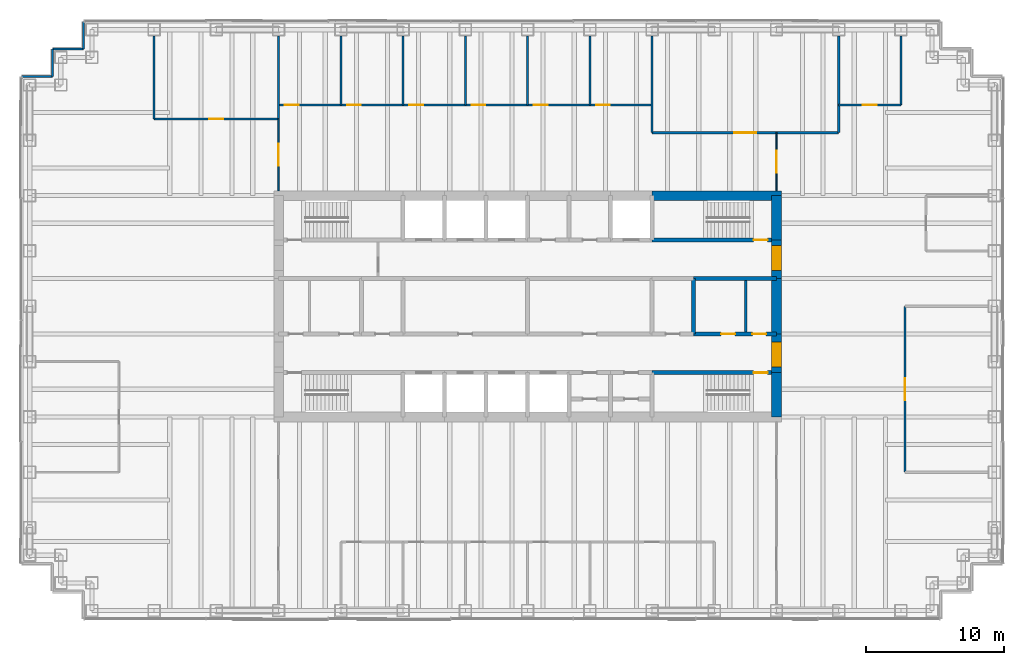
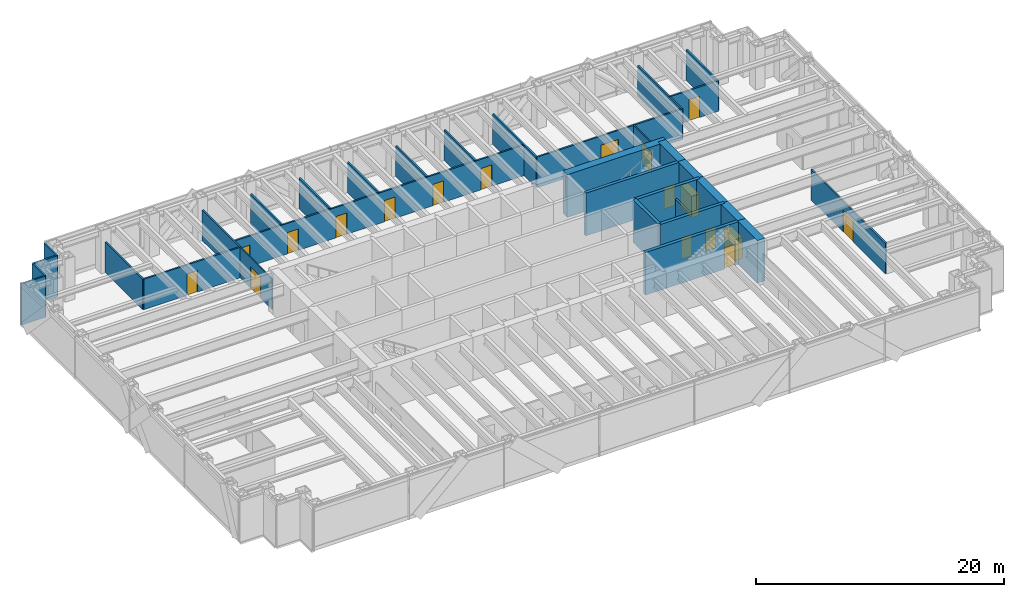
# One storey, part 13 of 15: 33 walls, 18 doors, 18 openings.
"""IFC4 building model written with IfcOpenShell, lengths in metres."""

from ifc_helpers import new_model, si_unit, direction, frame, frame_2d, origin, place, context, subcontext, project, spatial, rectangle, extrude, material, layer, layer_set, type_object, element, fill, save


model = new_model("IFC4")

# Units and contexts
model_context = context("Model", 3, precision=1e-05, world=origin(), true_north=direction((0.0, 1.0)))
body_context = subcontext(model_context, "Body", "Model", "MODEL_VIEW")
ifc_project = project(units=[si_unit("LENGTHUNIT", "METRE"), si_unit("AREAUNIT", "SQUARE_METRE"), si_unit("VOLUMEUNIT", "CUBIC_METRE"), si_unit("PLANEANGLEUNIT", "RADIAN"), si_unit("MASSUNIT", "GRAM", prefix="KILO")], contexts=[model_context])

# Site, building, storey
site_placement = place(None, origin())
site = spatial("IfcSite", under=ifc_project, at=site_placement, CompositionType="ELEMENT")
building_placement = place(site_placement, origin())
building = spatial("IfcBuilding", under=site, at=building_placement, Name="Rheinbord Bourse Tower", CompositionType="ELEMENT")
storey_placement = place(building_placement, frame((0.0, 0.0, 313.10009765625)))
storey = spatial("IfcBuildingStorey", under=building, at=storey_placement, Name="L71", CompositionType="ELEMENT", Elevation=313.10009765625)

# Wall, opening, door
ifc_material_1 = material(Name="Concrete C50/60", Category="concrete")
ifc_layer_1 = layer(ifc_material_1, 0.300048828125)
ifc_layer_set_1 = layer_set([ifc_layer_1], Name="CORE INNER WALL 300")
wall_type_1 = type_object("IfcWallType", Name="CORE INNER WALL 300", PredefinedType="SOLIDWALL", material=ifc_layer_set_1)
wall_1_placement = place(storey_placement, frame((45.0, 19.199951171875, 0.0), z_axis=(0.0, 0.0, 1.0), x_axis=(1.0, 0.0, 0.0)))
wall_1 = element("IfcWall", 1, at=wall_1_placement, inside=storey, type_object=wall_type_1, Name="Core wall A8 L71", PredefinedType="SOLIDWALL", context=body_context, shape_type="SweptSolid", body=[
    extrude(rectangle(XDim=9.0, YDim=0.300048828125, at=frame_2d((4.5, 0.0))), origin(), (0.0, 0.0, 1.0), 4.199951171875),
])
opening_1_placement = place(wall_1_placement, frame((7.35009765625, 0.0, 0.0)))
opening_1 = element("IfcOpeningElement", 2, at=opening_1_placement, cuts=wall_1, Name="Opening 7130", PredefinedType="OPENING", context=body_context, shape_type="SweptSolid", body=[
    extrude(rectangle(XDim=1.0, YDim=2.10009765625, at=frame_2d((0.5, 1.050048828125))), frame((0.0, 0.159912109375, 0.0), z_axis=(0.0, -1.0, 0.0), x_axis=(1.0, 0.0, 0.0)), (0.0, 0.0, 1.0), 0.320068359375),
])
ifc_material_2 = material(Name="Steel door", Category="steel")
door_type_1 = type_object("IfcDoorType", Name="DOOR 1000 EI30", OperationType="SINGLE_SWING_LEFT", PredefinedType="DOOR", material=ifc_material_2)
door_1_placement = place(opening_1_placement, origin())
door_1 = element("IfcDoor", 3, at=door_1_placement, inside=storey, type_object=door_type_1, Name="Stair door ST3 L71", OperationType="SINGLE_SWING_RIGHT", OverallHeight=2.10009765625, OverallWidth=1.0, PredefinedType="DOOR", context=body_context, shape_type="SweptSolid", body=[
    extrude(rectangle(XDim=1.0, YDim=2.10009765625, at=frame_2d((0.5, 1.050048828125))), frame((0.0, 0.02490234375, 0.0), z_axis=(0.0, -1.0, 0.0), x_axis=(1.0, 0.0, 0.0)), (0.0, 0.0, 1.0), 0.050048828125),
])
fill(opening_1, door_1)

wall_2_placement = place(storey_placement, frame((45.0, 28.800048828125, 0.0), z_axis=(0.0, 0.0, 1.0), x_axis=(1.0, 0.0, 0.0)))
wall_2 = element("IfcWall", 4, at=wall_2_placement, inside=storey, type_object=wall_type_1, Name="Core wall B8 L71", PredefinedType="SOLIDWALL", context=body_context, shape_type="SweptSolid", body=[
    extrude(rectangle(XDim=9.0, YDim=0.300048828125, at=frame_2d((4.5, 0.0))), origin(), (0.0, 0.0, 1.0), 4.199951171875),
])
opening_2_placement = place(wall_2_placement, frame((7.35009765625, 0.0, 0.0)))
opening_2 = element("IfcOpeningElement", 5, at=opening_2_placement, cuts=wall_2, Name="Opening 7140", PredefinedType="OPENING", context=body_context, shape_type="SweptSolid", body=[
    extrude(rectangle(XDim=1.0, YDim=2.10009765625, at=frame_2d((0.5, 1.050048828125))), frame((0.0, 0.159912109375, 0.0), z_axis=(0.0, -1.0, 0.0), x_axis=(1.0, 0.0, 0.0)), (0.0, 0.0, 1.0), 0.320068359375),
])
door_2_placement = place(opening_2_placement, origin())
door_2 = element("IfcDoor", 6, at=door_2_placement, inside=storey, type_object=door_type_1, Name="Stair door ST4 L71", OperationType="SINGLE_SWING_RIGHT", OverallHeight=2.10009765625, OverallWidth=1.0, PredefinedType="DOOR", context=body_context, shape_type="SweptSolid", body=[
    extrude(rectangle(XDim=1.0, YDim=2.10009765625, at=frame_2d((0.5, 1.050048828125))), frame((0.0, 0.02490234375, 0.0), z_axis=(0.0, -1.0, 0.0), x_axis=(1.0, 0.0, 0.0)), (0.0, 0.0, 1.0), 0.050048828125),
])
fill(opening_2, door_2)

# Wall, openings, doors
wall_3_placement = place(storey_placement, frame((48.0, 22.0, 0.0), z_axis=(0.0, 0.0, 1.0), x_axis=(1.0, 0.0, 0.0)))
wall_3 = element("IfcWall", 7, at=wall_3_placement, inside=storey, type_object=wall_type_1, Name="Core wall C6 L71", PredefinedType="SOLIDWALL", context=body_context, shape_type="SweptSolid", body=[
    extrude(rectangle(XDim=6.0, YDim=0.300048828125, at=frame_2d((3.0, 0.0))), origin(), (0.0, 0.0, 1.0), 4.199951171875),
])
opening_3_placement = place(wall_3_placement, frame((2.0, 0.0, 0.0)))
opening_3 = element("IfcOpeningElement", 8, at=opening_3_placement, cuts=wall_3, Name="Opening 71R6", PredefinedType="OPENING", context=body_context, shape_type="SweptSolid", body=[
    extrude(rectangle(XDim=1.0, YDim=2.10009765625, at=frame_2d((0.5, 1.050048828125))), frame((0.0, 0.159912109375, 0.0), z_axis=(0.0, -1.0, 0.0), x_axis=(1.0, 0.0, 0.0)), (0.0, 0.0, 1.0), 0.320068359375),
])
opening_4_placement = place(wall_3_placement, frame((4.25, 0.0, 0.0)))
opening_4 = element("IfcOpeningElement", 9, at=opening_4_placement, cuts=wall_3, Name="Opening 71R10", PredefinedType="OPENING", context=body_context, shape_type="SweptSolid", body=[
    extrude(rectangle(XDim=1.0, YDim=2.10009765625, at=frame_2d((0.5, 1.050048828125))), frame((0.0, 0.159912109375, 0.0), z_axis=(0.0, -1.0, 0.0), x_axis=(1.0, 0.0, 0.0)), (0.0, 0.0, 1.0), 0.320068359375),
])
door_3_placement = place(opening_4_placement, origin())
door_3 = element("IfcDoor", 10, at=door_3_placement, inside=storey, type_object=door_type_1, Name="Baby change door L71", OperationType="SINGLE_SWING_RIGHT", OverallHeight=2.10009765625, OverallWidth=1.0, PredefinedType="DOOR", context=body_context, shape_type="SweptSolid", body=[
    extrude(rectangle(XDim=1.0, YDim=2.10009765625, at=frame_2d((0.5, 1.050048828125))), frame((0.0, 0.02490234375, 0.0), z_axis=(0.0, -1.0, 0.0), x_axis=(1.0, 0.0, 0.0)), (0.0, 0.0, 1.0), 0.050048828125),
])
fill(opening_4, door_3)
ifc_material_3 = material(Name="Timber door", Category="wood")
door_type_2 = type_object("IfcDoorType", Name="DOOR 1000 WC", OperationType="SINGLE_SWING_LEFT", PredefinedType="DOOR", material=ifc_material_3)
door_4_placement = place(opening_3_placement, origin())
door_4 = element("IfcDoor", 11, at=door_4_placement, inside=storey, type_object=door_type_2, Name="WC women door L71", OperationType="SINGLE_SWING_LEFT", OverallHeight=2.10009765625, OverallWidth=1.0, PredefinedType="DOOR", context=body_context, shape_type="SweptSolid", body=[
    extrude(rectangle(XDim=1.0, YDim=2.10009765625, at=frame_2d((0.5, 1.050048828125))), frame((0.0, 0.02490234375, 0.0), z_axis=(0.0, -1.0, 0.0), x_axis=(1.0, 0.0, 0.0)), (0.0, 0.0, 1.0), 0.050048828125),
])
fill(opening_3, door_4)

# Walls
wall_4_placement = place(storey_placement, frame((48.0, 26.0, 0.0), z_axis=(0.0, 0.0, 1.0), x_axis=(1.0, 0.0, 0.0)))
element("IfcWall", 12, at=wall_4_placement, inside=storey, type_object=wall_type_1, Name="Core wall D6 L71", PredefinedType="SOLIDWALL", context=body_context, shape_type="SweptSolid", body=[
    extrude(rectangle(XDim=6.0, YDim=0.300048828125, at=frame_2d((3.0, 0.0))), origin(), (0.0, 0.0, 1.0), 4.199951171875),
])
wall_5_placement = place(storey_placement, frame((48.0, 22.0, 0.0), z_axis=(0.0, 0.0, 1.0), x_axis=(0.0, 1.0, 0.0)))
element("IfcWall", 13, at=wall_5_placement, inside=storey, type_object=wall_type_1, Name="Core wall MX48 L71", PredefinedType="SOLIDWALL", context=body_context, shape_type="SweptSolid", body=[
    extrude(rectangle(XDim=4.0, YDim=0.300048828125, at=frame_2d((2.0, 0.0))), origin(), (0.0, 0.0, 1.0), 4.199951171875),
])
ifc_material_4 = material(Name="Gypsum board fire partition", Category="gypsum board")
ifc_layer_2 = layer(ifc_material_4, 0.14990234375)
ifc_layer_set_2 = layer_set([ifc_layer_2], Name="CORE PARTITION 150 EI30")
wall_type_2 = type_object("IfcWallType", Name="CORE PARTITION 150 EI30", PredefinedType="PARTITIONING", material=ifc_layer_set_2)
wall_6_placement = place(storey_placement, frame((51.77490234375, 22.14990234375, 0.0), z_axis=(0.0, 0.0, 1.0), x_axis=(0.0, 1.0, 0.0)))
element("IfcWall", 14, at=wall_6_placement, inside=storey, type_object=wall_type_2, Name="Core partition L71-3", PredefinedType="PARTITIONING", context=body_context, shape_type="SweptSolid", body=[
    extrude(rectangle(XDim=3.7001953125, YDim=0.14990234375, at=frame_2d((1.85009765625, 0.0))), origin(), (0.0, 0.0, 1.0), 3.0),
])
ifc_material_5 = material(Name="Concrete C50/60", Category="concrete")
ifc_layer_3 = layer(ifc_material_5, 0.699951171875)
ifc_layer_set_3 = layer_set([ifc_layer_3], Name="CORE WALL 700")
wall_type_3 = type_object("IfcWallType", Name="CORE WALL 700", PredefinedType="SHEAR", material=ifc_layer_set_3)
wall_7_placement = place(storey_placement, frame((54.35009765625, 32.0, 0.0), z_axis=(0.0, 0.0, 1.0), x_axis=(-1.0, 0.0, 0.0)))
element("IfcWall", 15, at=wall_7_placement, inside=storey, type_object=wall_type_3, Name="Core wall N1 L71", PredefinedType="SHEAR", context=body_context, shape_type="SweptSolid", body=[
    extrude(rectangle(XDim=9.35009765625, YDim=0.699951171875, at=frame_2d((4.675048828125, 0.0))), origin(), (0.0, 0.0, 1.0), 4.199951171875),
])
wall_8_placement = place(storey_placement, frame((54.0, 16.0, 0.0), z_axis=(0.0, 0.0, 1.0), x_axis=(0.0, 1.0, 0.0)))
element("IfcWall", 16, at=wall_8_placement, inside=storey, type_object=wall_type_3, Name="Core wall E1 L71", PredefinedType="SHEAR", context=body_context, shape_type="SweptSolid", body=[
    extrude(rectangle(XDim=3.199951171875, YDim=0.699951171875, at=frame_2d((1.60009765625, 0.0))), origin(), (0.0, 0.0, 1.0), 4.199951171875),
])

# Wall, opening, door
wall_9_placement = place(storey_placement, frame((54.0, 19.199951171875, 0.0), z_axis=(0.0, 0.0, 1.0), x_axis=(0.0, 1.0, 0.0)))
wall_9 = element("IfcWall", 17, at=wall_9_placement, inside=storey, type_object=wall_type_3, Name="Core wall E2 L71", PredefinedType="SHEAR", context=body_context, shape_type="SweptSolid", body=[
    extrude(rectangle(XDim=2.800048828125, YDim=0.699951171875, at=frame_2d((1.39990234375, 0.0))), origin(), (0.0, 0.0, 1.0), 4.199951171875),
])
opening_5_placement = place(wall_9_placement, frame((0.39990234375, 0.0, 0.0)))
opening_5 = element("IfcOpeningElement", 18, at=opening_5_placement, cuts=wall_9, Name="Opening 71L3", PredefinedType="OPENING", context=body_context, shape_type="SweptSolid", body=[
    extrude(rectangle(XDim=1.800048828125, YDim=2.10009765625, at=frame_2d((0.89990234375, 1.050048828125))), frame((0.0, 0.35986328125, 0.0), z_axis=(0.0, -1.0, 0.0), x_axis=(1.0, 0.0, 0.0)), (0.0, 0.0, 1.0), 0.719970703125),
])
ifc_material_6 = material(Name="Steel door", Category="steel")
door_type_3 = type_object("IfcDoorType", Name="DOOR 1800 EI30 DOUBLE", OperationType="DOUBLE_DOOR_DOUBLE_SWING", PredefinedType="DOOR", material=ifc_material_6)
door_5_placement = place(opening_5_placement, origin())
door_5 = element("IfcDoor", 19, at=door_5_placement, inside=storey, type_object=door_type_3, Name="Lobby door 3 L71", OperationType="SINGLE_SWING_LEFT", OverallHeight=2.10009765625, OverallWidth=1.800048828125, PredefinedType="DOOR", context=body_context, shape_type="SweptSolid", body=[
    extrude(rectangle(XDim=1.800048828125, YDim=2.10009765625, at=frame_2d((0.89990234375, 1.050048828125))), frame((0.0, 0.349609375, 0.0), z_axis=(0.0, -1.0, 0.0), x_axis=(1.0, 0.0, 0.0)), (0.0, 0.0, 1.0), 0.699462890625),
])
fill(opening_5, door_5)

# Wall
wall_10_placement = place(storey_placement, frame((54.0, 22.0, 0.0), z_axis=(0.0, 0.0, 1.0), x_axis=(0.0, 1.0, 0.0)))
element("IfcWall", 20, at=wall_10_placement, inside=storey, type_object=wall_type_3, Name="Core wall E3 L71", PredefinedType="SHEAR", context=body_context, shape_type="SweptSolid", body=[
    extrude(rectangle(XDim=4.0, YDim=0.699951171875, at=frame_2d((2.0, 0.0))), origin(), (0.0, 0.0, 1.0), 4.199951171875),
])

# Wall, opening, door
wall_11_placement = place(storey_placement, frame((54.0, 26.0, 0.0), z_axis=(0.0, 0.0, 1.0), x_axis=(0.0, 1.0, 0.0)))
wall_11 = element("IfcWall", 21, at=wall_11_placement, inside=storey, type_object=wall_type_3, Name="Core wall E4 L71", PredefinedType="SHEAR", context=body_context, shape_type="SweptSolid", body=[
    extrude(rectangle(XDim=2.800048828125, YDim=0.699951171875, at=frame_2d((1.39990234375, 0.0))), origin(), (0.0, 0.0, 1.0), 4.199951171875),
])
opening_6_placement = place(wall_11_placement, frame((0.60009765625, 0.0, 0.0)))
opening_6 = element("IfcOpeningElement", 22, at=opening_6_placement, cuts=wall_11, Name="Opening 71L4", PredefinedType="OPENING", context=body_context, shape_type="SweptSolid", body=[
    extrude(rectangle(XDim=1.800048828125, YDim=2.10009765625, at=frame_2d((0.89990234375, 1.050048828125))), frame((0.0, 0.35986328125, 0.0), z_axis=(0.0, -1.0, 0.0), x_axis=(1.0, 0.0, 0.0)), (0.0, 0.0, 1.0), 0.719970703125),
])
door_6_placement = place(opening_6_placement, origin())
door_6 = element("IfcDoor", 23, at=door_6_placement, inside=storey, type_object=door_type_3, Name="Lobby door 4 L71", OperationType="SINGLE_SWING_LEFT", OverallHeight=2.10009765625, OverallWidth=1.800048828125, PredefinedType="DOOR", context=body_context, shape_type="SweptSolid", body=[
    extrude(rectangle(XDim=1.800048828125, YDim=2.10009765625, at=frame_2d((0.89990234375, 1.050048828125))), frame((0.0, 0.349609375, 0.0), z_axis=(0.0, -1.0, 0.0), x_axis=(1.0, 0.0, 0.0)), (0.0, 0.0, 1.0), 0.699462890625),
])
fill(opening_6, door_6)

# Walls
wall_12_placement = place(storey_placement, frame((54.0, 28.800048828125, 0.0), z_axis=(0.0, 0.0, 1.0), x_axis=(0.0, 1.0, 0.0)))
element("IfcWall", 24, at=wall_12_placement, inside=storey, type_object=wall_type_3, Name="Core wall E5 L71", PredefinedType="SHEAR", context=body_context, shape_type="SweptSolid", body=[
    extrude(rectangle(XDim=3.199951171875, YDim=0.699951171875, at=frame_2d((1.60009765625, 0.0))), origin(), (0.0, 0.0, 1.0), 4.199951171875),
])
ifc_material_7 = material(Name="Black metal rainscreen panel", Category="aluminium")
ifc_layer_4 = layer(ifc_material_7, 0.14990234375)
ifc_layer_set_4 = layer_set([ifc_layer_4], Name="CORNER PIER CLADDING 150")
wall_type_4 = type_object("IfcWallType", Name="CORNER PIER CLADDING 150", PredefinedType="ELEMENTEDWALL", material=ifc_layer_set_4)
wall_13_placement = place(storey_placement, frame((3.89990234375, 44.60009765625, 0.0), z_axis=(0.0, 0.0, 1.0), x_axis=(0.0, -1.0, 0.0)))
element("IfcWall", 25, at=wall_13_placement, inside=storey, type_object=wall_type_4, Name="Corner pier cladding L71 12", PredefinedType="ELEMENTEDWALL", context=body_context, shape_type="SweptSolid", body=[
    extrude(rectangle(XDim=2.0, YDim=0.14990234375, at=frame_2d((1.0, 0.0))), origin(), (0.0, 0.0, 1.0), 4.039794921875),
])
wall_14_placement = place(storey_placement, frame((3.89990234375, 42.60009765625, 0.0), z_axis=(0.0, 0.0, 1.0), x_axis=(-1.0, 0.0, 0.0)))
element("IfcWall", 26, at=wall_14_placement, inside=storey, type_object=wall_type_4, Name="Corner pier cladding L71 13", PredefinedType="ELEMENTEDWALL", context=body_context, shape_type="SweptSolid", body=[
    extrude(rectangle(XDim=2.25, YDim=0.14990234375, at=frame_2d((1.125, 0.0))), origin(), (0.0, 0.0, 1.0), 4.039794921875),
])
wall_15_placement = place(storey_placement, frame((1.64990234375, 42.60009765625, 0.0), z_axis=(0.0, 0.0, 1.0), x_axis=(0.0, -1.0, 0.0)))
element("IfcWall", 27, at=wall_15_placement, inside=storey, type_object=wall_type_4, Name="Corner pier cladding L71 14", PredefinedType="ELEMENTEDWALL", context=body_context, shape_type="SweptSolid", body=[
    extrude(rectangle(XDim=2.0, YDim=0.14990234375, at=frame_2d((1.0, 0.0))), origin(), (0.0, 0.0, 1.0), 4.039794921875),
])
wall_16_placement = place(storey_placement, frame((1.64990234375, 40.60009765625, 0.0), z_axis=(0.0, 0.0, 1.0), x_axis=(-1.0, 0.0, 0.0)))
element("IfcWall", 28, at=wall_16_placement, inside=storey, type_object=wall_type_4, Name="Corner pier cladding L71 15", PredefinedType="ELEMENTEDWALL", context=body_context, shape_type="SweptSolid", body=[
    extrude(rectangle(XDim=2.25, YDim=0.14990234375, at=frame_2d((1.125, 0.0))), origin(), (0.0, 0.0, 1.0), 4.039794921875),
])

# Wall, opening, door
ifc_material_8 = material(Name="Toughened laminated glass partition", Category="glass")
ifc_layer_5 = layer(ifc_material_8, 0.10009765625)
ifc_layer_set_5 = layer_set([ifc_layer_5], Name="GLAZED PARTITION 100")
wall_type_5 = type_object("IfcWallType", Name="GLAZED PARTITION 100", PredefinedType="PARTITIONING", material=ifc_layer_set_5)
wall_17_placement = place(storey_placement, frame((18.0, 32.35009765625, 0.0), z_axis=(0.0, 0.0, 1.0), x_axis=(0.0, 1.0, 0.0)))
wall_17 = element("IfcWall", 29, at=wall_17_placement, inside=storey, type_object=wall_type_5, Name="Partition L71-16", PredefinedType="PARTITIONING", context=body_context, shape_type="SweptSolid", body=[
    extrude(rectangle(XDim=5.199951171875, YDim=0.10009765625, at=frame_2d((2.60009765625, 0.0))), origin(), (0.0, 0.0, 1.0), 3.0),
])
opening_7_placement = place(wall_17_placement, frame((1.800048828125, 0.0, 0.0)))
opening_7 = element("IfcOpeningElement", 30, at=opening_7_placement, cuts=wall_17, Name="Opening 71D20", PredefinedType="OPENING", context=body_context, shape_type="SweptSolid", body=[
    extrude(rectangle(XDim=1.60009765625, YDim=2.10009765625, at=frame_2d((0.800048828125, 1.050048828125))), frame((0.0, 0.06005859375, 0.0), z_axis=(0.0, -1.0, 0.0), x_axis=(1.0, 0.0, 0.0)), (0.0, 0.0, 1.0), 0.1201171875),
])
ifc_material_9 = material(Name="Timber door", Category="wood")
door_type_4 = type_object("IfcDoorType", Name="DOUBLE ROOM DOOR 1600", OperationType="DOUBLE_DOOR_DOUBLE_SWING", PredefinedType="DOOR", material=ifc_material_9)
door_7_placement = place(opening_7_placement, origin())
door_7 = element("IfcDoor", 31, at=door_7_placement, inside=storey, type_object=door_type_4, Name="Open area door L71", OperationType="SINGLE_SWING_LEFT", OverallHeight=2.10009765625, OverallWidth=1.60009765625, PredefinedType="DOOR", context=body_context, shape_type="SweptSolid", body=[
    extrude(rectangle(XDim=1.60009765625, YDim=2.10009765625, at=frame_2d((0.800048828125, 1.050048828125))), frame((0.0, 0.02490234375, 0.0), z_axis=(0.0, -1.0, 0.0), x_axis=(1.0, 0.0, 0.0)), (0.0, 0.0, 1.0), 0.050048828125),
])
fill(opening_7, door_7)

wall_18_placement = place(storey_placement, frame((54.0, 32.35009765625, 0.0), z_axis=(0.0, 0.0, 1.0), x_axis=(0.0, 1.0, 0.0)))
wall_18 = element("IfcWall", 32, at=wall_18_placement, inside=storey, type_object=wall_type_5, Name="Partition L71-31", PredefinedType="PARTITIONING", context=body_context, shape_type="SweptSolid", body=[
    extrude(rectangle(XDim=4.199951171875, YDim=0.10009765625, at=frame_2d((2.10009765625, 0.0))), origin(), (0.0, 0.0, 1.0), 3.0),
])
opening_8_placement = place(wall_18_placement, frame((1.300048828125, 0.0, 0.0)))
opening_8 = element("IfcOpeningElement", 33, at=opening_8_placement, cuts=wall_18, Name="Opening 71D23", PredefinedType="OPENING", context=body_context, shape_type="SweptSolid", body=[
    extrude(rectangle(XDim=1.60009765625, YDim=2.10009765625, at=frame_2d((0.800048828125, 1.050048828125))), frame((0.0, 0.06005859375, 0.0), z_axis=(0.0, -1.0, 0.0), x_axis=(1.0, 0.0, 0.0)), (0.0, 0.0, 1.0), 0.1201171875),
])
door_8_placement = place(opening_8_placement, origin())
door_8 = element("IfcDoor", 34, at=door_8_placement, inside=storey, type_object=door_type_4, Name="Open area door L71", OperationType="SINGLE_SWING_LEFT", OverallHeight=2.10009765625, OverallWidth=1.60009765625, PredefinedType="DOOR", context=body_context, shape_type="SweptSolid", body=[
    extrude(rectangle(XDim=1.60009765625, YDim=2.10009765625, at=frame_2d((0.800048828125, 1.050048828125))), frame((0.0, 0.02490234375, 0.0), z_axis=(0.0, -1.0, 0.0), x_axis=(1.0, 0.0, 0.0)), (0.0, 0.0, 1.0), 0.050048828125),
])
fill(opening_8, door_8)

ifc_material_10 = material(Name="Gypsum board partition", Category="gypsum board")
ifc_layer_6 = layer(ifc_material_10, 0.14990234375)
ifc_layer_set_6 = layer_set([ifc_layer_6], Name="PARTITION 150")
wall_type_6 = type_object("IfcWallType", Name="PARTITION 150", PredefinedType="PARTITIONING", material=ifc_layer_set_6)
wall_19_placement = place(storey_placement, frame((45.0, 36.550048828125, 0.0), z_axis=(0.0, 0.0, 1.0), x_axis=(1.0, 0.0, 0.0)))
wall_19 = element("IfcWall", 35, at=wall_19_placement, inside=storey, type_object=wall_type_6, Name="Partition L71-09", PredefinedType="PARTITIONING", context=body_context, shape_type="SweptSolid", body=[
    extrude(rectangle(XDim=13.5, YDim=0.14990234375, at=frame_2d((6.75, 0.0))), origin(), (0.0, 0.0, 1.0), 3.0),
])
opening_9_placement = place(wall_19_placement, frame((5.949951171875, 0.0, 0.0)))
opening_9 = element("IfcOpeningElement", 36, at=opening_9_placement, cuts=wall_19, Name="Opening 71D09", PredefinedType="OPENING", context=body_context, shape_type="SweptSolid", body=[
    extrude(rectangle(XDim=1.60009765625, YDim=2.10009765625, at=frame_2d((0.800048828125, 1.050048828125))), frame((0.0, 0.0849609375, 0.0), z_axis=(0.0, -1.0, 0.0), x_axis=(1.0, 0.0, 0.0)), (0.0, 0.0, 1.0), 0.169921875),
])
door_9_placement = place(opening_9_placement, origin())
door_9 = element("IfcDoor", 37, at=door_9_placement, inside=storey, type_object=door_type_4, Name="Board chair office door L71", OperationType="SINGLE_SWING_LEFT", OverallHeight=2.10009765625, OverallWidth=1.60009765625, PredefinedType="DOOR", context=body_context, shape_type="SweptSolid", body=[
    extrude(rectangle(XDim=1.60009765625, YDim=2.10009765625, at=frame_2d((0.800048828125, 1.050048828125))), frame((0.0, 0.02490234375, 0.0), z_axis=(0.0, -1.0, 0.0), x_axis=(1.0, 0.0, 0.0)), (0.0, 0.0, 1.0), 0.050048828125),
])
fill(opening_9, door_9)

wall_20_placement = place(storey_placement, frame((9.0, 37.550048828125, 0.0), z_axis=(0.0, 0.0, 1.0), x_axis=(1.0, 0.0, 0.0)))
wall_20 = element("IfcWall", 38, at=wall_20_placement, inside=storey, type_object=wall_type_6, Name="Partition L71-10", PredefinedType="PARTITIONING", context=body_context, shape_type="SweptSolid", body=[
    extrude(rectangle(XDim=9.0, YDim=0.14990234375, at=frame_2d((4.5, 0.0))), origin(), (0.0, 0.0, 1.0), 3.0),
])
opening_10_placement = place(wall_20_placement, frame((4.0, 0.0, 0.0)))
opening_10 = element("IfcOpeningElement", 39, at=opening_10_placement, cuts=wall_20, Name="Opening 71D10", PredefinedType="OPENING", context=body_context, shape_type="SweptSolid", body=[
    extrude(rectangle(XDim=1.0, YDim=2.10009765625, at=frame_2d((0.5, 1.050048828125))), frame((0.0, 0.0849609375, 0.0), z_axis=(0.0, -1.0, 0.0), x_axis=(1.0, 0.0, 0.0)), (0.0, 0.0, 1.0), 0.169921875),
])
ifc_material_11 = material(Name="Timber door", Category="wood")
door_type_5 = type_object("IfcDoorType", Name="ROOM DOOR 1000", OperationType="SINGLE_SWING_LEFT", PredefinedType="DOOR", material=ifc_material_11)
door_10_placement = place(opening_10_placement, origin())
door_10 = element("IfcDoor", 40, at=door_10_placement, inside=storey, type_object=door_type_5, Name="Company secretary office door L71", OperationType="SINGLE_SWING_LEFT", OverallHeight=2.10009765625, OverallWidth=1.0, PredefinedType="DOOR", context=body_context, shape_type="SweptSolid", body=[
    extrude(rectangle(XDim=1.0, YDim=2.10009765625, at=frame_2d((0.5, 1.050048828125))), frame((0.0, 0.02490234375, 0.0), z_axis=(0.0, -1.0, 0.0), x_axis=(1.0, 0.0, 0.0)), (0.0, 0.0, 1.0), 0.050048828125),
])
fill(opening_10, door_10)

# Wall, openings, doors
wall_21_placement = place(storey_placement, frame((18.0, 38.550048828125, 0.0), z_axis=(0.0, 0.0, 1.0), x_axis=(1.0, 0.0, 0.0)))
wall_21 = element("IfcWall", 41, at=wall_21_placement, inside=storey, type_object=wall_type_6, Name="Partition L71-11", PredefinedType="PARTITIONING", context=body_context, shape_type="SweptSolid", body=[
    extrude(rectangle(XDim=27.0, YDim=0.14990234375, at=frame_2d((13.5, 0.0))), origin(), (0.0, 0.0, 1.0), 3.0),
])
opening_11_placement = place(wall_21_placement, frame((0.449951171875, 0.0, 0.0)))
opening_11 = element("IfcOpeningElement", 42, at=opening_11_placement, cuts=wall_21, Name="Opening 71D11", PredefinedType="OPENING", context=body_context, shape_type="SweptSolid", body=[
    extrude(rectangle(XDim=1.0, YDim=2.10009765625, at=frame_2d((0.5, 1.050048828125))), frame((0.0, 0.0849609375, 0.0), z_axis=(0.0, -1.0, 0.0), x_axis=(1.0, 0.0, 0.0)), (0.0, 0.0, 1.0), 0.169921875),
])
opening_12_placement = place(wall_21_placement, frame((4.949951171875, 0.0, 0.0)))
opening_12 = element("IfcOpeningElement", 43, at=opening_12_placement, cuts=wall_21, Name="Opening 71D12", PredefinedType="OPENING", context=body_context, shape_type="SweptSolid", body=[
    extrude(rectangle(XDim=1.0, YDim=2.10009765625, at=frame_2d((0.5, 1.050048828125))), frame((0.0, 0.0849609375, 0.0), z_axis=(0.0, -1.0, 0.0), x_axis=(1.0, 0.0, 0.0)), (0.0, 0.0, 1.0), 0.169921875),
])
opening_13_placement = place(wall_21_placement, frame((9.449951171875, 0.0, 0.0)))
opening_13 = element("IfcOpeningElement", 44, at=opening_13_placement, cuts=wall_21, Name="Opening 71D13", PredefinedType="OPENING", context=body_context, shape_type="SweptSolid", body=[
    extrude(rectangle(XDim=1.0, YDim=2.10009765625, at=frame_2d((0.5, 1.050048828125))), frame((0.0, 0.0849609375, 0.0), z_axis=(0.0, -1.0, 0.0), x_axis=(1.0, 0.0, 0.0)), (0.0, 0.0, 1.0), 0.169921875),
])
opening_14_placement = place(wall_21_placement, frame((13.949951171875, 0.0, 0.0)))
opening_14 = element("IfcOpeningElement", 45, at=opening_14_placement, cuts=wall_21, Name="Opening 71D14", PredefinedType="OPENING", context=body_context, shape_type="SweptSolid", body=[
    extrude(rectangle(XDim=1.0, YDim=2.10009765625, at=frame_2d((0.5, 1.050048828125))), frame((0.0, 0.0849609375, 0.0), z_axis=(0.0, -1.0, 0.0), x_axis=(1.0, 0.0, 0.0)), (0.0, 0.0, 1.0), 0.169921875),
])
opening_15_placement = place(wall_21_placement, frame((18.449951171875, 0.0, 0.0)))
opening_15 = element("IfcOpeningElement", 46, at=opening_15_placement, cuts=wall_21, Name="Opening 71D15", PredefinedType="OPENING", context=body_context, shape_type="SweptSolid", body=[
    extrude(rectangle(XDim=1.0, YDim=2.10009765625, at=frame_2d((0.5, 1.050048828125))), frame((0.0, 0.0849609375, 0.0), z_axis=(0.0, -1.0, 0.0), x_axis=(1.0, 0.0, 0.0)), (0.0, 0.0, 1.0), 0.169921875),
])
opening_16_placement = place(wall_21_placement, frame((22.949951171875, 0.0, 0.0)))
opening_16 = element("IfcOpeningElement", 47, at=opening_16_placement, cuts=wall_21, Name="Opening 71D16", PredefinedType="OPENING", context=body_context, shape_type="SweptSolid", body=[
    extrude(rectangle(XDim=1.0, YDim=2.10009765625, at=frame_2d((0.5, 1.050048828125))), frame((0.0, 0.0849609375, 0.0), z_axis=(0.0, -1.0, 0.0), x_axis=(1.0, 0.0, 0.0)), (0.0, 0.0, 1.0), 0.169921875),
])
door_11_placement = place(opening_11_placement, origin())
door_11 = element("IfcDoor", 48, at=door_11_placement, inside=storey, type_object=door_type_5, Name="Board member office door L71", OperationType="SINGLE_SWING_LEFT", OverallHeight=2.10009765625, OverallWidth=1.0, PredefinedType="DOOR", context=body_context, shape_type="SweptSolid", body=[
    extrude(rectangle(XDim=1.0, YDim=2.10009765625, at=frame_2d((0.5, 1.050048828125))), frame((0.0, 0.02490234375, 0.0), z_axis=(0.0, -1.0, 0.0), x_axis=(1.0, 0.0, 0.0)), (0.0, 0.0, 1.0), 0.050048828125),
])
fill(opening_11, door_11)
door_12_placement = place(opening_12_placement, origin())
door_12 = element("IfcDoor", 49, at=door_12_placement, inside=storey, type_object=door_type_5, Name="Board member office door L71", OperationType="SINGLE_SWING_LEFT", OverallHeight=2.10009765625, OverallWidth=1.0, PredefinedType="DOOR", context=body_context, shape_type="SweptSolid", body=[
    extrude(rectangle(XDim=1.0, YDim=2.10009765625, at=frame_2d((0.5, 1.050048828125))), frame((0.0, 0.02490234375, 0.0), z_axis=(0.0, -1.0, 0.0), x_axis=(1.0, 0.0, 0.0)), (0.0, 0.0, 1.0), 0.050048828125),
])
fill(opening_12, door_12)
door_13_placement = place(opening_13_placement, origin())
door_13 = element("IfcDoor", 50, at=door_13_placement, inside=storey, type_object=door_type_5, Name="Board member office door L71", OperationType="SINGLE_SWING_LEFT", OverallHeight=2.10009765625, OverallWidth=1.0, PredefinedType="DOOR", context=body_context, shape_type="SweptSolid", body=[
    extrude(rectangle(XDim=1.0, YDim=2.10009765625, at=frame_2d((0.5, 1.050048828125))), frame((0.0, 0.02490234375, 0.0), z_axis=(0.0, -1.0, 0.0), x_axis=(1.0, 0.0, 0.0)), (0.0, 0.0, 1.0), 0.050048828125),
])
fill(opening_13, door_13)
door_14_placement = place(opening_14_placement, origin())
door_14 = element("IfcDoor", 51, at=door_14_placement, inside=storey, type_object=door_type_5, Name="Board member office door L71", OperationType="SINGLE_SWING_RIGHT", OverallHeight=2.10009765625, OverallWidth=1.0, PredefinedType="DOOR", context=body_context, shape_type="SweptSolid", body=[
    extrude(rectangle(XDim=1.0, YDim=2.10009765625, at=frame_2d((0.5, 1.050048828125))), frame((0.0, 0.02490234375, 0.0), z_axis=(0.0, -1.0, 0.0), x_axis=(1.0, 0.0, 0.0)), (0.0, 0.0, 1.0), 0.050048828125),
])
fill(opening_14, door_14)
door_15_placement = place(opening_15_placement, origin())
door_15 = element("IfcDoor", 52, at=door_15_placement, inside=storey, type_object=door_type_5, Name="Board member office door L71", OperationType="SINGLE_SWING_RIGHT", OverallHeight=2.10009765625, OverallWidth=1.0, PredefinedType="DOOR", context=body_context, shape_type="SweptSolid", body=[
    extrude(rectangle(XDim=1.0, YDim=2.10009765625, at=frame_2d((0.5, 1.050048828125))), frame((0.0, 0.02490234375, 0.0), z_axis=(0.0, -1.0, 0.0), x_axis=(1.0, 0.0, 0.0)), (0.0, 0.0, 1.0), 0.050048828125),
])
fill(opening_15, door_15)
door_16_placement = place(opening_16_placement, origin())
door_16 = element("IfcDoor", 53, at=door_16_placement, inside=storey, type_object=door_type_5, Name="Board member office door L71", OperationType="SINGLE_SWING_RIGHT", OverallHeight=2.10009765625, OverallWidth=1.0, PredefinedType="DOOR", context=body_context, shape_type="SweptSolid", body=[
    extrude(rectangle(XDim=1.0, YDim=2.10009765625, at=frame_2d((0.5, 1.050048828125))), frame((0.0, 0.02490234375, 0.0), z_axis=(0.0, -1.0, 0.0), x_axis=(1.0, 0.0, 0.0)), (0.0, 0.0, 1.0), 0.050048828125),
])
fill(opening_16, door_16)

# Wall, opening, door
wall_22_placement = place(storey_placement, frame((58.5, 38.550048828125, 0.0), z_axis=(0.0, 0.0, 1.0), x_axis=(1.0, 0.0, 0.0)))
wall_22 = element("IfcWall", 54, at=wall_22_placement, inside=storey, type_object=wall_type_6, Name="Partition L71-12", PredefinedType="PARTITIONING", context=body_context, shape_type="SweptSolid", body=[
    extrude(rectangle(XDim=4.5, YDim=0.14990234375, at=frame_2d((2.25, 0.0))), origin(), (0.0, 0.0, 1.0), 3.0),
])
opening_17_placement = place(wall_22_placement, frame((1.75, 0.0, 0.0)))
opening_17 = element("IfcOpeningElement", 55, at=opening_17_placement, cuts=wall_22, Name="Opening 71D17", PredefinedType="OPENING", context=body_context, shape_type="SweptSolid", body=[
    extrude(rectangle(XDim=1.0, YDim=2.10009765625, at=frame_2d((0.5, 1.050048828125))), frame((0.0, 0.0849609375, 0.0), z_axis=(0.0, -1.0, 0.0), x_axis=(1.0, 0.0, 0.0)), (0.0, 0.0, 1.0), 0.169921875),
])
door_17_placement = place(opening_17_placement, origin())
door_17 = element("IfcDoor", 56, at=door_17_placement, inside=storey, type_object=door_type_5, Name="Board anteroom door L71", OperationType="SINGLE_SWING_LEFT", OverallHeight=2.10009765625, OverallWidth=1.0, PredefinedType="DOOR", context=body_context, shape_type="SweptSolid", body=[
    extrude(rectangle(XDim=1.0, YDim=2.10009765625, at=frame_2d((0.5, 1.050048828125))), frame((0.0, 0.02490234375, 0.0), z_axis=(0.0, -1.0, 0.0), x_axis=(1.0, 0.0, 0.0)), (0.0, 0.0, 1.0), 0.050048828125),
])
fill(opening_17, door_17)

# Walls
for number, where, z_axis, x_axis, name in (
    (57, (9.0, 37.550048828125, 0.0), (0.0, 0.0, 1.0), (0.0, 1.0, 0.0), "Partition L71-14"),
    (58, (18.0, 37.550048828125, 0.0), (0.0, 0.0, 1.0), (0.0, 1.0, 0.0), "Partition L71-17"),
):
    element("IfcWall", number, at=place(storey_placement, frame(where, z_axis=z_axis, x_axis=x_axis)), inside=storey, type_object=wall_type_6, Name=name, PredefinedType="PARTITIONING", context=body_context, shape_type="SweptSolid", body=[
        extrude(rectangle(XDim=6.0, YDim=0.14990234375, at=frame_2d((3.0, 0.0))), origin(), (0.0, 0.0, 1.0), 3.0),
    ])
for number, where, z_axis, x_axis, name in (
    (59, (22.5, 38.550048828125, 0.0), (0.0, 0.0, 1.0), (0.0, 1.0, 0.0), "Partition L71-19"),
    (60, (27.0, 38.550048828125, 0.0), (0.0, 0.0, 1.0), (0.0, 1.0, 0.0), "Partition L71-21"),
    (61, (31.5, 38.550048828125, 0.0), (0.0, 0.0, 1.0), (0.0, 1.0, 0.0), "Partition L71-23"),
    (62, (36.0, 38.550048828125, 0.0), (0.0, 0.0, 1.0), (0.0, 1.0, 0.0), "Partition L71-25"),
    (63, (40.5, 38.550048828125, 0.0), (0.0, 0.0, 1.0), (0.0, 1.0, 0.0), "Partition L71-27"),
):
    element("IfcWall", number, at=place(storey_placement, frame(where, z_axis=z_axis, x_axis=x_axis)), inside=storey, type_object=wall_type_6, Name=name, PredefinedType="PARTITIONING", context=body_context, shape_type="SweptSolid", body=[
        extrude(rectangle(XDim=5.0, YDim=0.14990234375, at=frame_2d((2.5, 0.0))), origin(), (0.0, 0.0, 1.0), 3.0),
    ])
for number, where, z_axis, x_axis, name in (
    (64, (45.0, 36.550048828125, 0.0), (0.0, 0.0, 1.0), (0.0, 1.0, 0.0), "Partition L71-28"),
    (65, (58.5, 36.550048828125, 0.0), (0.0, 0.0, 1.0), (0.0, 1.0, 0.0), "Partition L71-32"),
):
    element("IfcWall", number, at=place(storey_placement, frame(where, z_axis=z_axis, x_axis=x_axis)), inside=storey, type_object=wall_type_6, Name=name, PredefinedType="PARTITIONING", context=body_context, shape_type="SweptSolid", body=[
        extrude(rectangle(XDim=7.0, YDim=0.14990234375, at=frame_2d((3.5, 0.0))), origin(), (0.0, 0.0, 1.0), 3.0),
    ])
wall_23_placement = place(storey_placement, frame((63.0, 38.550048828125, 0.0), z_axis=(0.0, 0.0, 1.0), x_axis=(0.0, 1.0, 0.0)))
element("IfcWall", 66, at=wall_23_placement, inside=storey, type_object=wall_type_6, Name="Partition L71-33", PredefinedType="PARTITIONING", context=body_context, shape_type="SweptSolid", body=[
    extrude(rectangle(XDim=5.0, YDim=0.14990234375, at=frame_2d((2.5, 0.0))), origin(), (0.0, 0.0, 1.0), 3.0),
])

# Wall, opening, door
wall_24_placement = place(storey_placement, frame((63.300048828125, 12.0, 0.0), z_axis=(0.0, 0.0, 1.0), x_axis=(0.0, 1.0, 0.0)))
wall_24 = element("IfcWall", 67, at=wall_24_placement, inside=storey, type_object=wall_type_6, Name="Partition L71-34", PredefinedType="PARTITIONING", context=body_context, shape_type="SweptSolid", body=[
    extrude(rectangle(XDim=12.0, YDim=0.14990234375, at=frame_2d((6.0, 0.0))), origin(), (0.0, 0.0, 1.0), 3.0),
])
opening_18_placement = place(wall_24_placement, frame((5.199951171875, 0.0, 0.0)))
opening_18 = element("IfcOpeningElement", 68, at=opening_18_placement, cuts=wall_24, Name="Opening 71D07", PredefinedType="OPENING", context=body_context, shape_type="SweptSolid", body=[
    extrude(rectangle(XDim=1.60009765625, YDim=2.10009765625, at=frame_2d((0.800048828125, 1.050048828125))), frame((0.0, 0.0849609375, 0.0), z_axis=(0.0, -1.0, 0.0), x_axis=(1.0, 0.0, 0.0)), (0.0, 0.0, 1.0), 0.169921875),
])
door_18_placement = place(opening_18_placement, origin())
door_18 = element("IfcDoor", 69, at=door_18_placement, inside=storey, type_object=door_type_4, Name="General counsel office door L71", OperationType="SINGLE_SWING_LEFT", OverallHeight=2.10009765625, OverallWidth=1.60009765625, PredefinedType="DOOR", context=body_context, shape_type="SweptSolid", body=[
    extrude(rectangle(XDim=1.60009765625, YDim=2.10009765625, at=frame_2d((0.800048828125, 1.050048828125))), frame((0.0, 0.02490234375, 0.0), z_axis=(0.0, -1.0, 0.0), x_axis=(1.0, 0.0, 0.0)), (0.0, 0.0, 1.0), 0.050048828125),
])
fill(opening_18, door_18)

save(model, "model.ifc")
